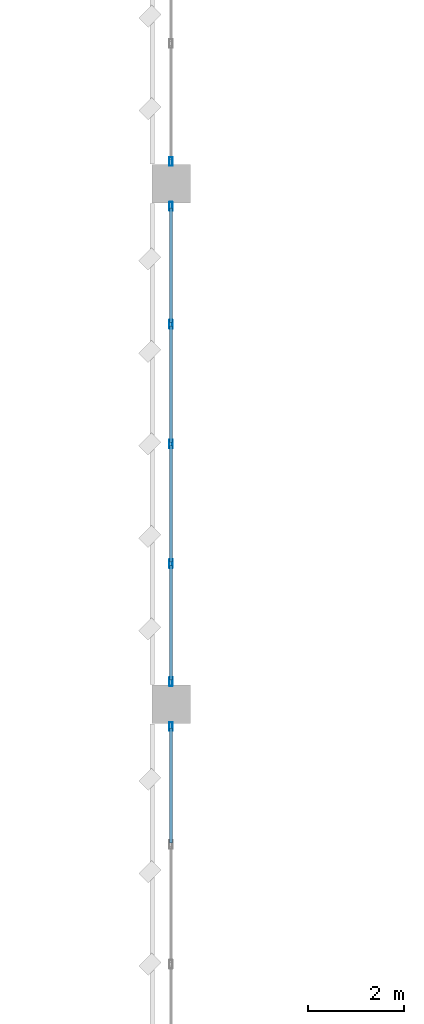
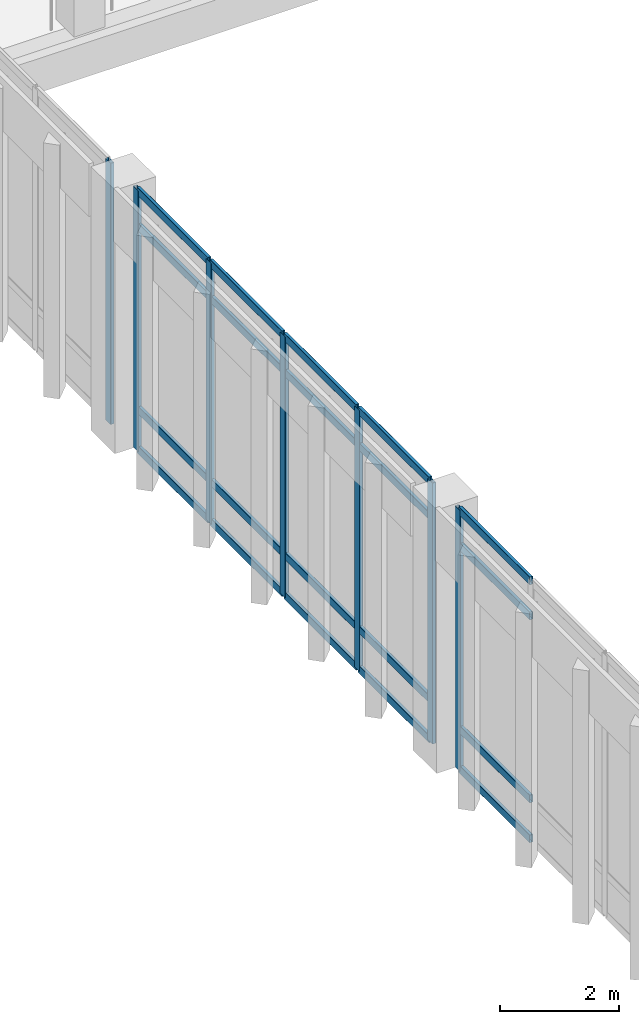
# One storey, part 12 of 180: 27 members, 3 elements without a shape of their own.
"""IFC4 building model written with IfcOpenShell, lengths in metres."""

from ifc_helpers import new_model, si_unit, direction, frame, origin, origin_2d, place, context, subcontext, project, spatial, hollow_rectangle, extrude, material, material_profile, profile_set, type_object, element, aggregate, save


model = new_model("IFC4")

# Units and contexts
model_context = context("Model", 3, precision=1e-05, world=origin(), true_north=direction((0.0, 1.0)))
body_context = subcontext(model_context, "Body", "Model", "MODEL_VIEW")
ifc_project = project(units=[si_unit("LENGTHUNIT", "METRE"), si_unit("AREAUNIT", "SQUARE_METRE"), si_unit("VOLUMEUNIT", "CUBIC_METRE"), si_unit("PLANEANGLEUNIT", "RADIAN"), si_unit("MASSUNIT", "GRAM", prefix="KILO")], contexts=[model_context])

# Site, building, storey
site_placement = place(None, origin())
site = spatial("IfcSite", under=ifc_project, at=site_placement, CompositionType="ELEMENT")
building_placement = place(site_placement, origin())
building = spatial("IfcBuilding", under=site, at=building_placement, Name="Lusvemor Sports Hall", CompositionType="ELEMENT")
storey_placement = place(building_placement, frame((0.0, 0.0, 5.39990234375)))
storey = spatial("IfcBuildingStorey", under=building, at=storey_placement, Name="L01", CompositionType="ELEMENT", Elevation=5.39990234375)

# Curtain wall, member
ifc_material_1 = material(Name="Thermally broken bronze-anodized aluminium", Category="aluminium")
curtain_wall_type = type_object("IfcCurtainWallType", Name="CW_COURT_C", PredefinedType="NOTDEFINED", material=ifc_material_1)
curtain_wall_1_placement = place(storey_placement, origin())
curtain_wall_1 = element("IfcCurtainWall", 1, at=curtain_wall_1_placement, inside=storey, type_object=curtain_wall_type, Name="Curtain Wall CW-V1W-L01-2", PredefinedType="NOTDEFINED")
ifc_material_2 = material(Name="Thermally broken bronze-anodized aluminium", Category="aluminium")
ifc_material_profile_1 = material_profile(ifc_material_2, hollow_rectangle(XDim=0.070068359375, YDim=0.179931640625, WallThickness=0.0048828125, InnerFilletRadius=0.0048828125, OuterFilletRadius=0.010009765625, at=origin_2d()), Name="CWMUL180x70x5")
ifc_profile_set_1 = profile_set([ifc_material_profile_1], Name="Thermally broken bronze-anodized aluminium")
member_type_1 = type_object("IfcMemberType", Name="CW_MUL_A", PredefinedType="MULLION", material=ifc_profile_set_1)
member_1_placement = place(storey_placement, frame((0.0, 17.534912109375, 0.0), z_axis=(0.0, 0.0, 1.0), x_axis=(-1.0, 0.0, 0.0)))
member_1 = element("IfcMember", 2, at=member_1_placement, type_object=member_type_1, Name="CW03 mullion 5", PredefinedType="MULLION", context=body_context, shape_type="SweptSolid", body=[
    extrude(hollow_rectangle(XDim=0.070068359375, YDim=0.179931640625, WallThickness=0.0048828125, InnerFilletRadius=0.0048828125, OuterFilletRadius=0.010009765625, at=origin_2d()), origin(), (0.0, 0.0, 1.0), 5.35009765625),
])

# Curtain wall, members
curtain_wall_2_placement = place(storey_placement, origin())
curtain_wall_2 = element("IfcCurtainWall", 3, at=curtain_wall_2_placement, inside=storey, type_object=curtain_wall_type, Name="Curtain Wall CW-V1W-L01-3", PredefinedType="NOTDEFINED")
member_2_placement = place(storey_placement, frame((0.0, 18.465087890625, 0.0), z_axis=(0.0, 0.0, 1.0), x_axis=(-1.0, 0.0, 0.0)))
member_2 = element("IfcMember", 4, at=member_2_placement, type_object=member_type_1, Name="CW03 mullion 1", PredefinedType="MULLION", context=body_context, shape_type="SweptSolid", body=[
    extrude(hollow_rectangle(XDim=0.070068359375, YDim=0.179931640625, WallThickness=0.0048828125, InnerFilletRadius=0.0048828125, OuterFilletRadius=0.010009765625, at=origin_2d()), origin(), (0.0, 0.0, 1.0), 5.35009765625),
])
member_3_placement = place(storey_placement, frame((0.0, 20.9150390625, 0.0), z_axis=(0.0, 0.0, 1.0), x_axis=(-1.0, 0.0, 0.0)))
member_3 = element("IfcMember", 5, at=member_3_placement, type_object=member_type_1, Name="CW03 mullion 2", PredefinedType="MULLION", context=body_context, shape_type="SweptSolid", body=[
    extrude(hollow_rectangle(XDim=0.070068359375, YDim=0.179931640625, WallThickness=0.0048828125, InnerFilletRadius=0.0048828125, OuterFilletRadius=0.010009765625, at=origin_2d()), origin(), (0.0, 0.0, 1.0), 5.35009765625),
])
member_4_placement = place(storey_placement, frame((0.0, 23.39990234375, 0.0), z_axis=(0.0, 0.0, 1.0), x_axis=(-1.0, 0.0, 0.0)))
member_4 = element("IfcMember", 6, at=member_4_placement, type_object=member_type_1, Name="CW03 mullion 3", PredefinedType="MULLION", context=body_context, shape_type="SweptSolid", body=[
    extrude(hollow_rectangle(XDim=0.070068359375, YDim=0.179931640625, WallThickness=0.0048828125, InnerFilletRadius=0.0048828125, OuterFilletRadius=0.010009765625, at=origin_2d()), origin(), (0.0, 0.0, 1.0), 5.35009765625),
])
member_5_placement = place(storey_placement, frame((0.0, 25.885009765625, 0.0), z_axis=(0.0, 0.0, 1.0), x_axis=(-1.0, 0.0, 0.0)))
member_5 = element("IfcMember", 7, at=member_5_placement, type_object=member_type_1, Name="CW03 mullion 4", PredefinedType="MULLION", context=body_context, shape_type="SweptSolid", body=[
    extrude(hollow_rectangle(XDim=0.070068359375, YDim=0.179931640625, WallThickness=0.0048828125, InnerFilletRadius=0.0048828125, OuterFilletRadius=0.010009765625, at=origin_2d()), origin(), (0.0, 0.0, 1.0), 5.35009765625),
])
member_6_placement = place(storey_placement, frame((0.0, 28.3349609375, 0.0), z_axis=(0.0, 0.0, 1.0), x_axis=(-1.0, 0.0, 0.0)))
member_6 = element("IfcMember", 8, at=member_6_placement, type_object=member_type_1, Name="CW03 mullion 5", PredefinedType="MULLION", context=body_context, shape_type="SweptSolid", body=[
    extrude(hollow_rectangle(XDim=0.070068359375, YDim=0.179931640625, WallThickness=0.0048828125, InnerFilletRadius=0.0048828125, OuterFilletRadius=0.010009765625, at=origin_2d()), origin(), (0.0, 0.0, 1.0), 5.35009765625),
])

# Curtain wall, member
curtain_wall_3_placement = place(storey_placement, origin())
curtain_wall_3 = element("IfcCurtainWall", 9, at=curtain_wall_3_placement, inside=storey, type_object=curtain_wall_type, Name="Curtain Wall CW-V1W-L01-4", PredefinedType="NOTDEFINED")
member_7_placement = place(storey_placement, frame((0.0, 29.264892578125, 0.0), z_axis=(0.0, 0.0, 1.0), x_axis=(-1.0, 0.0, 0.0)))
member_7 = element("IfcMember", 10, at=member_7_placement, type_object=member_type_1, Name="CW03 mullion 1", PredefinedType="MULLION", context=body_context, shape_type="SweptSolid", body=[
    extrude(hollow_rectangle(XDim=0.070068359375, YDim=0.179931640625, WallThickness=0.0048828125, InnerFilletRadius=0.0048828125, OuterFilletRadius=0.010009765625, at=origin_2d()), origin(), (0.0, 0.0, 1.0), 5.35009765625),
])
aggregate(curtain_wall_3, [member_7])

# Member
ifc_material_3 = material(Name="Thermally broken bronze-anodized aluminium", Category="aluminium")
ifc_material_profile_2 = material_profile(ifc_material_3, hollow_rectangle(XDim=0.06494140625, YDim=0.159912109375, WallThickness=0.00390625, InnerFilletRadius=0.00390625, OuterFilletRadius=0.008056640625, at=origin_2d()), Name="CWTRN160x65x4")
ifc_profile_set_2 = profile_set([ifc_material_profile_2], Name="Thermally broken bronze-anodized aluminium")
member_type_2 = type_object("IfcMemberType", Name="CW_TRN_A", PredefinedType="USERDEFINED", material=ifc_profile_set_2)
member_8_placement = place(storey_placement, frame((0.0, 15.1201171875, 0.03271484375), z_axis=(0.0, 1.0, 0.0), x_axis=(-1.0, 0.0, 0.0)))
member_8 = element("IfcMember", 11, at=member_8_placement, type_object=member_type_2, Name="CW03 transom 4.1", ObjectType="TRANSOM", PredefinedType="USERDEFINED", context=body_context, shape_type="SweptSolid", body=[
    extrude(hollow_rectangle(XDim=0.06494140625, YDim=0.159912109375, WallThickness=0.00390625, InnerFilletRadius=0.00390625, OuterFilletRadius=0.008056640625, at=origin_2d()), origin(), (0.0, 0.0, 1.0), 2.3798828125),
])

member_9_placement = place(storey_placement, frame((0.0, 15.1201171875, 0.85009765625), z_axis=(0.0, 1.0, 0.0), x_axis=(-1.0, 0.0, 0.0)))
member_9 = element("IfcMember", 12, at=member_9_placement, type_object=member_type_2, Name="CW03 transom 4.2", ObjectType="TRANSOM", PredefinedType="USERDEFINED", context=body_context, shape_type="SweptSolid", body=[
    extrude(hollow_rectangle(XDim=0.06494140625, YDim=0.159912109375, WallThickness=0.00390625, InnerFilletRadius=0.00390625, OuterFilletRadius=0.008056640625, at=origin_2d()), origin(), (0.0, 0.0, 1.0), 2.3798828125),
])

member_10_placement = place(storey_placement, frame((0.0, 15.1201171875, 4.60009765625), z_axis=(0.0, 1.0, 0.0), x_axis=(-1.0, 0.0, 0.0)))
member_10 = element("IfcMember", 13, at=member_10_placement, type_object=member_type_2, Name="CW03 transom 4.3", ObjectType="TRANSOM", PredefinedType="USERDEFINED", context=body_context, shape_type="SweptSolid", body=[
    extrude(hollow_rectangle(XDim=0.06494140625, YDim=0.159912109375, WallThickness=0.00390625, InnerFilletRadius=0.00390625, OuterFilletRadius=0.008056640625, at=origin_2d()), origin(), (0.0, 0.0, 1.0), 2.3798828125),
])

member_11_placement = place(storey_placement, frame((0.0, 15.1201171875, 5.317626953125), z_axis=(0.0, 1.0, 0.0), x_axis=(-1.0, 0.0, 0.0)))
member_11 = element("IfcMember", 14, at=member_11_placement, type_object=member_type_2, Name="CW03 transom 4.4", ObjectType="TRANSOM", PredefinedType="USERDEFINED", context=body_context, shape_type="SweptSolid", body=[
    extrude(hollow_rectangle(XDim=0.06494140625, YDim=0.159912109375, WallThickness=0.00390625, InnerFilletRadius=0.00390625, OuterFilletRadius=0.008056640625, at=origin_2d()), origin(), (0.0, 0.0, 1.0), 2.3798828125),
])

aggregate(curtain_wall_1, [member_1, member_8, member_9, member_10, member_11])

member_12_placement = place(storey_placement, frame((0.0, 18.5, 0.03271484375), z_axis=(0.0, 1.0, 0.0), x_axis=(-1.0, 0.0, 0.0)))
member_12 = element("IfcMember", 15, at=member_12_placement, type_object=member_type_2, Name="CW03 transom 1.1", ObjectType="TRANSOM", PredefinedType="USERDEFINED", context=body_context, shape_type="SweptSolid", body=[
    extrude(hollow_rectangle(XDim=0.06494140625, YDim=0.159912109375, WallThickness=0.00390625, InnerFilletRadius=0.00390625, OuterFilletRadius=0.008056640625, at=origin_2d()), origin(), (0.0, 0.0, 1.0), 2.3798828125),
])

member_13_placement = place(storey_placement, frame((0.0, 18.5, 0.85009765625), z_axis=(0.0, 1.0, 0.0), x_axis=(-1.0, 0.0, 0.0)))
member_13 = element("IfcMember", 16, at=member_13_placement, type_object=member_type_2, Name="CW03 transom 1.2", ObjectType="TRANSOM", PredefinedType="USERDEFINED", context=body_context, shape_type="SweptSolid", body=[
    extrude(hollow_rectangle(XDim=0.06494140625, YDim=0.159912109375, WallThickness=0.00390625, InnerFilletRadius=0.00390625, OuterFilletRadius=0.008056640625, at=origin_2d()), origin(), (0.0, 0.0, 1.0), 2.3798828125),
])

member_14_placement = place(storey_placement, frame((0.0, 18.5, 4.60009765625), z_axis=(0.0, 1.0, 0.0), x_axis=(-1.0, 0.0, 0.0)))
member_14 = element("IfcMember", 17, at=member_14_placement, type_object=member_type_2, Name="CW03 transom 1.3", ObjectType="TRANSOM", PredefinedType="USERDEFINED", context=body_context, shape_type="SweptSolid", body=[
    extrude(hollow_rectangle(XDim=0.06494140625, YDim=0.159912109375, WallThickness=0.00390625, InnerFilletRadius=0.00390625, OuterFilletRadius=0.008056640625, at=origin_2d()), origin(), (0.0, 0.0, 1.0), 2.3798828125),
])

member_15_placement = place(storey_placement, frame((0.0, 18.5, 5.317626953125), z_axis=(0.0, 1.0, 0.0), x_axis=(-1.0, 0.0, 0.0)))
member_15 = element("IfcMember", 18, at=member_15_placement, type_object=member_type_2, Name="CW03 transom 1.4", ObjectType="TRANSOM", PredefinedType="USERDEFINED", context=body_context, shape_type="SweptSolid", body=[
    extrude(hollow_rectangle(XDim=0.06494140625, YDim=0.159912109375, WallThickness=0.00390625, InnerFilletRadius=0.00390625, OuterFilletRadius=0.008056640625, at=origin_2d()), origin(), (0.0, 0.0, 1.0), 2.3798828125),
])

member_16_placement = place(storey_placement, frame((0.0, 20.949951171875, 0.03271484375), z_axis=(0.0, 1.0, 0.0), x_axis=(-1.0, 0.0, 0.0)))
member_16 = element("IfcMember", 19, at=member_16_placement, type_object=member_type_2, Name="CW03 transom 2.1", ObjectType="TRANSOM", PredefinedType="USERDEFINED", context=body_context, shape_type="SweptSolid", body=[
    extrude(hollow_rectangle(XDim=0.06494140625, YDim=0.159912109375, WallThickness=0.00390625, InnerFilletRadius=0.00390625, OuterFilletRadius=0.008056640625, at=origin_2d()), origin(), (0.0, 0.0, 1.0), 2.4150390625),
])

member_17_placement = place(storey_placement, frame((0.0, 20.949951171875, 0.85009765625), z_axis=(0.0, 1.0, 0.0), x_axis=(-1.0, 0.0, 0.0)))
member_17 = element("IfcMember", 20, at=member_17_placement, type_object=member_type_2, Name="CW03 transom 2.2", ObjectType="TRANSOM", PredefinedType="USERDEFINED", context=body_context, shape_type="SweptSolid", body=[
    extrude(hollow_rectangle(XDim=0.06494140625, YDim=0.159912109375, WallThickness=0.00390625, InnerFilletRadius=0.00390625, OuterFilletRadius=0.008056640625, at=origin_2d()), origin(), (0.0, 0.0, 1.0), 2.4150390625),
])

member_18_placement = place(storey_placement, frame((0.0, 20.949951171875, 4.60009765625), z_axis=(0.0, 1.0, 0.0), x_axis=(-1.0, 0.0, 0.0)))
member_18 = element("IfcMember", 21, at=member_18_placement, type_object=member_type_2, Name="CW03 transom 2.3", ObjectType="TRANSOM", PredefinedType="USERDEFINED", context=body_context, shape_type="SweptSolid", body=[
    extrude(hollow_rectangle(XDim=0.06494140625, YDim=0.159912109375, WallThickness=0.00390625, InnerFilletRadius=0.00390625, OuterFilletRadius=0.008056640625, at=origin_2d()), origin(), (0.0, 0.0, 1.0), 2.4150390625),
])

member_19_placement = place(storey_placement, frame((0.0, 20.949951171875, 5.317626953125), z_axis=(0.0, 1.0, 0.0), x_axis=(-1.0, 0.0, 0.0)))
member_19 = element("IfcMember", 22, at=member_19_placement, type_object=member_type_2, Name="CW03 transom 2.4", ObjectType="TRANSOM", PredefinedType="USERDEFINED", context=body_context, shape_type="SweptSolid", body=[
    extrude(hollow_rectangle(XDim=0.06494140625, YDim=0.159912109375, WallThickness=0.00390625, InnerFilletRadius=0.00390625, OuterFilletRadius=0.008056640625, at=origin_2d()), origin(), (0.0, 0.0, 1.0), 2.4150390625),
])

member_20_placement = place(storey_placement, frame((0.0, 23.43505859375, 0.03271484375), z_axis=(0.0, 1.0, 0.0), x_axis=(-1.0, 0.0, 0.0)))
member_20 = element("IfcMember", 23, at=member_20_placement, type_object=member_type_2, Name="CW03 transom 3.1", ObjectType="TRANSOM", PredefinedType="USERDEFINED", context=body_context, shape_type="SweptSolid", body=[
    extrude(hollow_rectangle(XDim=0.06494140625, YDim=0.159912109375, WallThickness=0.00390625, InnerFilletRadius=0.00390625, OuterFilletRadius=0.008056640625, at=origin_2d()), origin(), (0.0, 0.0, 1.0), 2.4150390625),
])

member_21_placement = place(storey_placement, frame((0.0, 23.43505859375, 0.85009765625), z_axis=(0.0, 1.0, 0.0), x_axis=(-1.0, 0.0, 0.0)))
member_21 = element("IfcMember", 24, at=member_21_placement, type_object=member_type_2, Name="CW03 transom 3.2", ObjectType="TRANSOM", PredefinedType="USERDEFINED", context=body_context, shape_type="SweptSolid", body=[
    extrude(hollow_rectangle(XDim=0.06494140625, YDim=0.159912109375, WallThickness=0.00390625, InnerFilletRadius=0.00390625, OuterFilletRadius=0.008056640625, at=origin_2d()), origin(), (0.0, 0.0, 1.0), 2.4150390625),
])

member_22_placement = place(storey_placement, frame((0.0, 23.43505859375, 4.60009765625), z_axis=(0.0, 1.0, 0.0), x_axis=(-1.0, 0.0, 0.0)))
member_22 = element("IfcMember", 25, at=member_22_placement, type_object=member_type_2, Name="CW03 transom 3.3", ObjectType="TRANSOM", PredefinedType="USERDEFINED", context=body_context, shape_type="SweptSolid", body=[
    extrude(hollow_rectangle(XDim=0.06494140625, YDim=0.159912109375, WallThickness=0.00390625, InnerFilletRadius=0.00390625, OuterFilletRadius=0.008056640625, at=origin_2d()), origin(), (0.0, 0.0, 1.0), 2.4150390625),
])

member_23_placement = place(storey_placement, frame((0.0, 23.43505859375, 5.317626953125), z_axis=(0.0, 1.0, 0.0), x_axis=(-1.0, 0.0, 0.0)))
member_23 = element("IfcMember", 26, at=member_23_placement, type_object=member_type_2, Name="CW03 transom 3.4", ObjectType="TRANSOM", PredefinedType="USERDEFINED", context=body_context, shape_type="SweptSolid", body=[
    extrude(hollow_rectangle(XDim=0.06494140625, YDim=0.159912109375, WallThickness=0.00390625, InnerFilletRadius=0.00390625, OuterFilletRadius=0.008056640625, at=origin_2d()), origin(), (0.0, 0.0, 1.0), 2.4150390625),
])

member_24_placement = place(storey_placement, frame((0.0, 25.919921875, 0.03271484375), z_axis=(0.0, 1.0, 0.0), x_axis=(-1.0, 0.0, 0.0)))
member_24 = element("IfcMember", 27, at=member_24_placement, type_object=member_type_2, Name="CW03 transom 4.1", ObjectType="TRANSOM", PredefinedType="USERDEFINED", context=body_context, shape_type="SweptSolid", body=[
    extrude(hollow_rectangle(XDim=0.06494140625, YDim=0.159912109375, WallThickness=0.00390625, InnerFilletRadius=0.00390625, OuterFilletRadius=0.008056640625, at=origin_2d()), origin(), (0.0, 0.0, 1.0), 2.380126953125),
])

member_25_placement = place(storey_placement, frame((0.0, 25.919921875, 0.85009765625), z_axis=(0.0, 1.0, 0.0), x_axis=(-1.0, 0.0, 0.0)))
member_25 = element("IfcMember", 28, at=member_25_placement, type_object=member_type_2, Name="CW03 transom 4.2", ObjectType="TRANSOM", PredefinedType="USERDEFINED", context=body_context, shape_type="SweptSolid", body=[
    extrude(hollow_rectangle(XDim=0.06494140625, YDim=0.159912109375, WallThickness=0.00390625, InnerFilletRadius=0.00390625, OuterFilletRadius=0.008056640625, at=origin_2d()), origin(), (0.0, 0.0, 1.0), 2.380126953125),
])

member_26_placement = place(storey_placement, frame((0.0, 25.919921875, 4.60009765625), z_axis=(0.0, 1.0, 0.0), x_axis=(-1.0, 0.0, 0.0)))
member_26 = element("IfcMember", 29, at=member_26_placement, type_object=member_type_2, Name="CW03 transom 4.3", ObjectType="TRANSOM", PredefinedType="USERDEFINED", context=body_context, shape_type="SweptSolid", body=[
    extrude(hollow_rectangle(XDim=0.06494140625, YDim=0.159912109375, WallThickness=0.00390625, InnerFilletRadius=0.00390625, OuterFilletRadius=0.008056640625, at=origin_2d()), origin(), (0.0, 0.0, 1.0), 2.380126953125),
])

member_27_placement = place(storey_placement, frame((0.0, 25.919921875, 5.317626953125), z_axis=(0.0, 1.0, 0.0), x_axis=(-1.0, 0.0, 0.0)))
member_27 = element("IfcMember", 30, at=member_27_placement, type_object=member_type_2, Name="CW03 transom 4.4", ObjectType="TRANSOM", PredefinedType="USERDEFINED", context=body_context, shape_type="SweptSolid", body=[
    extrude(hollow_rectangle(XDim=0.06494140625, YDim=0.159912109375, WallThickness=0.00390625, InnerFilletRadius=0.00390625, OuterFilletRadius=0.008056640625, at=origin_2d()), origin(), (0.0, 0.0, 1.0), 2.380126953125),
])

aggregate(curtain_wall_2, [member_2, member_3, member_4, member_5, member_6, member_12, member_13, member_14, member_15, member_16, member_17, member_18, member_19, member_20, member_21, member_22, member_23, member_24, member_25, member_26, member_27])

save(model, "model.ifc")
